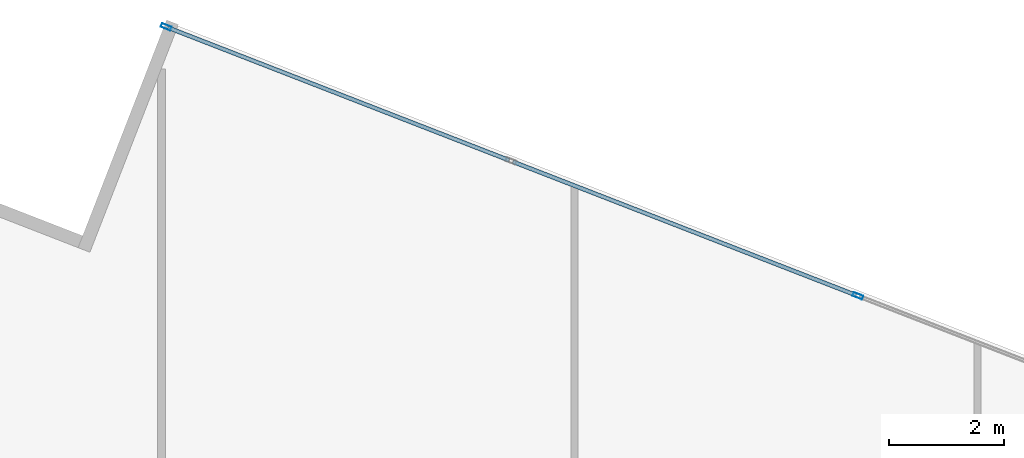
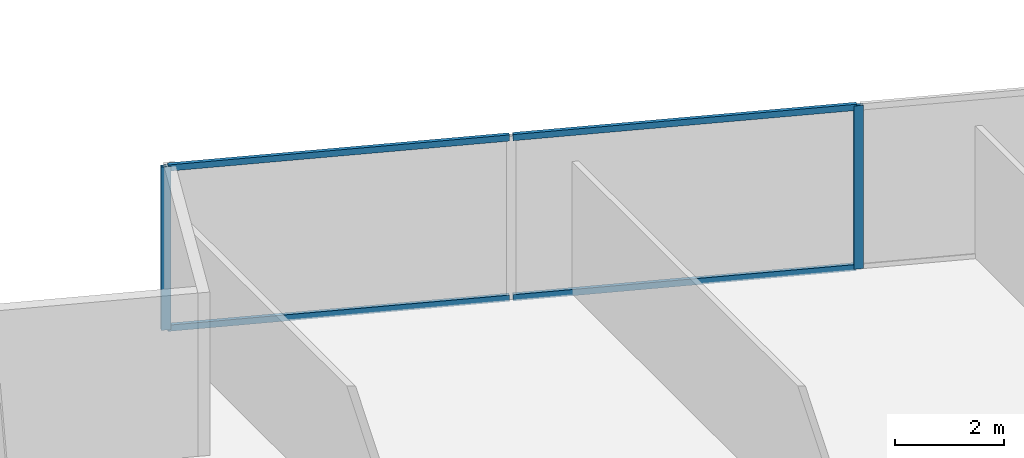
# One storey, part 17 of 26: 6 members, 1 element without a shape of its own.
"""IFC4 building model written with IfcOpenShell, lengths in metres."""

from ifc_helpers import new_model, si_unit, direction, frame, origin, origin_2d, place, context, subcontext, project, spatial, hollow_rectangle, extrude, source, transform, mapped, material, material_profile, profile_set, type_object, type_shapes, element, aggregate, save


model = new_model("IFC4")

# Units and contexts
model_context = context("Model", 3, precision=1e-05, world=origin(), true_north=direction((0.0, 1.0)))
body_context = subcontext(model_context, "Body", "Model", "MODEL_VIEW")
ifc_project = project(units=[si_unit("LENGTHUNIT", "METRE"), si_unit("AREAUNIT", "SQUARE_METRE"), si_unit("VOLUMEUNIT", "CUBIC_METRE"), si_unit("PLANEANGLEUNIT", "RADIAN"), si_unit("MASSUNIT", "GRAM", prefix="KILO")], contexts=[model_context])

# Site, building, storey
site_placement = place(None, origin())
site = spatial("IfcSite", under=ifc_project, at=site_placement, CompositionType="ELEMENT")
building_placement = place(site_placement, origin())
building = spatial("IfcBuilding", under=site, at=building_placement, Name="Krantzveldt Concourse Tower", CompositionType="ELEMENT")
storey_placement = place(building_placement, frame((0.0, 0.0, 129.550048828125)))
storey = spatial("IfcBuildingStorey", under=building, at=storey_placement, Name="L31", CompositionType="ELEMENT", Elevation=129.550048828125)

# Curtain wall, members
ifc_material = material(Name="Anodised aluminium 6063-T6", Category="aluminium")
curtain_wall_type = type_object("IfcCurtainWallType", Name="CW2", PredefinedType="USERDEFINED", material=ifc_material)
curtain_wall_placement = place(storey_placement, origin())
curtain_wall = element("IfcCurtainWall", 1, at=curtain_wall_placement, inside=storey, type_object=curtain_wall_type, Name="CW-L31-F14", ObjectType="UNITISED CURTAIN WALL", PredefinedType="USERDEFINED")
ifc_material_profile_1 = material_profile(ifc_material, hollow_rectangle(XDim=0.070068359375, YDim=0.179931640625, WallThickness=0.0048828125, at=origin_2d()), Name="Anodised aluminium 6063-T6", Category="aluminium")
ifc_profile_set_1 = profile_set([ifc_material_profile_1], Name="Anodised aluminium 6063-T6 - ALU-MULL 180x70x5")
member_type_1 = type_object("IfcMemberType", Name="CW-MUL-180", PredefinedType="MULLION", material=ifc_profile_set_1)
shared_shape_1 = source(origin(), body_context, "Body", "SweptSolid", [
    extrude(hollow_rectangle(XDim=0.070068359375, YDim=0.179931640625, WallThickness=0.0048828125, at=origin_2d()), origin(), (0.0, 0.0, 1.0), 3.669921875),
])
type_shapes(member_type_1, [shared_shape_1])
member_1_placement = place(storey_placement, frame((38.42138671875, 50.768798828125, 0.0), z_axis=(0.0, 0.0, 1.0), x_axis=(-0.362437952917, -0.93200790248, 0.0)))
member_1 = element("IfcMember", 2, at=member_1_placement, type_object=member_type_1, Name="CW-Z12 mullion 5", PredefinedType="MULLION", context=body_context, shape_type="MappedRepresentation", body=[
    mapped(shared_shape_1, transform((0.0, 0.0, 0.0), x_axis=(1.0, 0.0, 0.0), y_axis=(0.0, 1.0, 0.0), z_axis=(0.0, 0.0, 1.0), scale=1.0)),
])
member_2_placement = place(storey_placement, frame((26.400146484375, 55.443603515625, 0.0), z_axis=(0.0, 0.0, 1.0), x_axis=(-0.362437952917, -0.93200790248, 0.0)))
member_2 = element("IfcMember", 3, at=member_2_placement, type_object=member_type_1, Name="CW-Z12 mullion 7", PredefinedType="MULLION", context=body_context, shape_type="MappedRepresentation", body=[
    mapped(shared_shape_1, transform((0.0, 0.0, 0.0), x_axis=(1.0, 0.0, 0.0), y_axis=(0.0, 1.0, 0.0), z_axis=(0.0, 0.0, 1.0), scale=1.0)),
])
ifc_material_profile_2 = material_profile(ifc_material, hollow_rectangle(XDim=0.070068359375, YDim=0.139892578125, WallThickness=0.0048828125, at=origin_2d()), Name="Anodised aluminium 6063-T6", Category="aluminium")
ifc_profile_set_2 = profile_set([ifc_material_profile_2], Name="Anodised aluminium 6063-T6 - ALU-TRAN 140x70x5")
member_type_2 = type_object("IfcMemberType", Name="CW-TRN-150", PredefinedType="USERDEFINED", material=ifc_profile_set_2)
shared_shape_2 = source(origin(), body_context, "Body", "SweptSolid", [
    extrude(hollow_rectangle(XDim=0.070068359375, YDim=0.139892578125, WallThickness=0.0048828125, at=origin_2d()), origin(), (0.0, 0.0, 1.0), 6.396728515625),
])
member_3_placement = place(storey_placement, frame((38.388916015625, 50.781494140625, 0.034912109375), z_axis=(-0.932013266299, 0.362424159573, 0.0), x_axis=(-0.362424159573, -0.932013266299, 0.0)))
member_3 = element("IfcMember", 4, at=member_3_placement, type_object=member_type_2, Name="CW-Z12 transom 5.1", ObjectType="TRANSOM", PredefinedType="USERDEFINED", context=body_context, shape_type="MappedRepresentation", body=[
    mapped(shared_shape_2, transform((0.0, 0.0, 0.0), x_axis=(1.0, 0.0, 0.0), y_axis=(0.0, 1.0, 0.0), z_axis=(0.0, 0.0, 1.0), scale=1.0)),
])
member_4_placement = place(storey_placement, frame((38.388916015625, 50.781494140625, 3.635009765625), z_axis=(-0.932013266299, 0.362424159573, 0.0), x_axis=(-0.362424159573, -0.932013266299, 0.0)))
member_4 = element("IfcMember", 5, at=member_4_placement, type_object=member_type_2, Name="CW-Z12 transom 5.2", ObjectType="TRANSOM", PredefinedType="USERDEFINED", context=body_context, shape_type="MappedRepresentation", body=[
    mapped(shared_shape_2, transform((0.0, 0.0, 0.0), x_axis=(1.0, 0.0, 0.0), y_axis=(0.0, 1.0, 0.0), z_axis=(0.0, 0.0, 1.0), scale=1.0)),
])
shared_shape_3 = source(origin(), body_context, "Body", "SweptSolid", [
    extrude(hollow_rectangle(XDim=0.070068359375, YDim=0.139892578125, WallThickness=0.0048828125, at=origin_2d()), origin(), (0.0, 0.0, 1.0), 6.36181640625),
])
type_shapes(member_type_2, [shared_shape_2, shared_shape_3])
member_5_placement = place(storey_placement, frame((32.36181640625, 53.125244140625, 0.034912109375), z_axis=(-0.932011873383, 0.362427741589, 0.0), x_axis=(-0.362427741589, -0.932011873383, 0.0)))
member_5 = element("IfcMember", 6, at=member_5_placement, type_object=member_type_2, Name="CW-Z12 transom 6.1", ObjectType="TRANSOM", PredefinedType="USERDEFINED", context=body_context, shape_type="MappedRepresentation", body=[
    mapped(shared_shape_3, transform((0.0, 0.0, 0.0), x_axis=(1.0, 0.0, 0.0), y_axis=(0.0, 1.0, 0.0), z_axis=(0.0, 0.0, 1.0), scale=1.0)),
])
member_6_placement = place(storey_placement, frame((32.36181640625, 53.125244140625, 3.635009765625), z_axis=(-0.932011873383, 0.362427741589, 0.0), x_axis=(-0.362427741589, -0.932011873383, 0.0)))
member_6 = element("IfcMember", 7, at=member_6_placement, type_object=member_type_2, Name="CW-Z12 transom 6.2", ObjectType="TRANSOM", PredefinedType="USERDEFINED", context=body_context, shape_type="MappedRepresentation", body=[
    mapped(shared_shape_3, transform((0.0, 0.0, 0.0), x_axis=(1.0, 0.0, 0.0), y_axis=(0.0, 1.0, 0.0), z_axis=(0.0, 0.0, 1.0), scale=1.0)),
])
aggregate(curtain_wall, [member_1, member_2, member_3, member_4, member_5, member_6])

save(model, "model.ifc")
